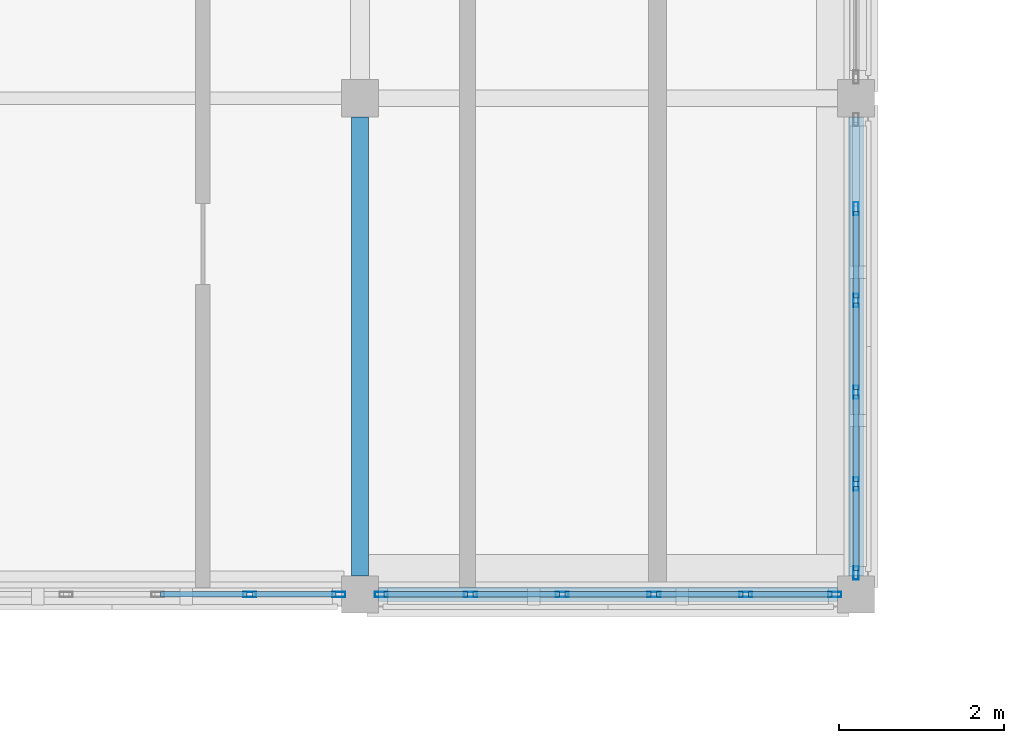
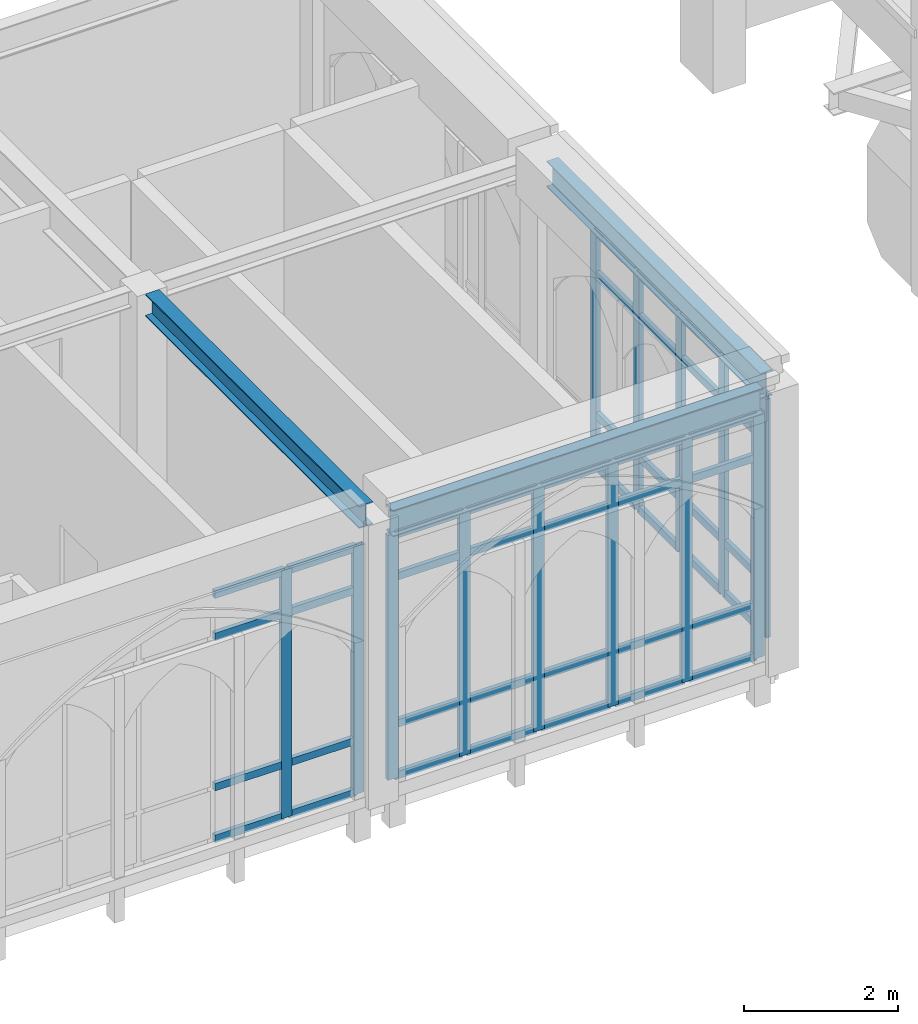
# One storey, part 21 of 59: 57 members, 3 beams, 3 elements without a shape of their own.
"""IFC4 building model written with IfcOpenShell, lengths in metres."""

from ifc_helpers import new_model, si_unit, direction, frame, origin, origin_2d, place, context, subcontext, project, spatial, hollow_rectangle, i_section, extrude, material, layer, layer_set, material_profile, profile_set, type_object, element, aggregate, save


model = new_model("IFC4")

# Units and contexts
model_context = context("Model", 3, precision=1e-05, world=origin(), true_north=direction((0.0, 1.0)))
body_context = subcontext(model_context, "Body", "Model", "MODEL_VIEW")
ifc_project = project(units=[si_unit("LENGTHUNIT", "METRE"), si_unit("AREAUNIT", "SQUARE_METRE"), si_unit("VOLUMEUNIT", "CUBIC_METRE"), si_unit("PLANEANGLEUNIT", "RADIAN"), si_unit("MASSUNIT", "GRAM", prefix="KILO")], contexts=[model_context])

# Site, building, storey
site_placement = place(None, origin())
site = spatial("IfcSite", under=ifc_project, at=site_placement, CompositionType="ELEMENT")
building_placement = place(site_placement, origin())
building = spatial("IfcBuilding", under=site, at=building_placement, Name="Cumevento Cable Car Station", CompositionType="ELEMENT")
storey_placement = place(building_placement, frame((0.0, 0.0, 18.0)))
storey = spatial("IfcBuildingStorey", under=building, at=storey_placement, Name="L05", CompositionType="ELEMENT", Elevation=18.0)

# Curtain wall, members
ifc_material_1 = material(Name="Anodised Bronze Aluminium AW-6063-T6", Category="aluminium")
ifc_layer_1 = layer(ifc_material_1, 0.159912109375)
ifc_layer_set_1 = layer_set([ifc_layer_1], Name="Anodised Bronze Aluminium AW-6063-T6")
curtain_wall_type_1 = type_object("IfcCurtainWallType", Name="Lancet Curtain Wall CW-01 1050", PredefinedType="NOTDEFINED", material=ifc_layer_set_1)
curtain_wall_1_placement = place(storey_placement, origin())
curtain_wall_1 = element("IfcCurtainWall", 1, at=curtain_wall_1_placement, inside=storey, type_object=curtain_wall_type_1, Name="Lancet Curtain Wall CW-01 L05 #192", PredefinedType="NOTDEFINED")
ifc_material_2 = material(Name="Anodised Bronze Aluminium AW-6063-T6", Category="aluminium")
ifc_material_profile_1 = material_profile(ifc_material_2, hollow_rectangle(XDim=0.06494140625, YDim=0.159912109375, WallThickness=0.00390625, at=origin_2d()), Name="ALUM65x160x4")
ifc_profile_set_1 = profile_set([ifc_material_profile_1], Name="Anodised Bronze Aluminium AW-6063-T6")
member_type_1 = type_object("IfcMemberType", Name="Curtain Mullion CWM-01 ALUM65x160x4", PredefinedType="MULLION", material=ifc_profile_set_1)
member_1_placement = place(storey_placement, frame((75.742431640625, 33.0, 0.159912109375), z_axis=(0.0, 0.0, 1.0), x_axis=(0.0, -1.0, 0.0)))
member_1 = element("IfcMember", 2, at=member_1_placement, type_object=member_type_1, Name="CW-01 mullion 1", PredefinedType="MULLION", context=body_context, shape_type="SweptSolid", body=[
    extrude(hollow_rectangle(XDim=0.06494140625, YDim=0.159912109375, WallThickness=0.00390625, at=origin_2d()), origin(), (0.0, 0.0, 1.0), 3.93310546875),
])
member_2_placement = place(storey_placement, frame((74.6650390625, 33.0, 0.159912109375), z_axis=(0.0, 0.0, 1.0), x_axis=(0.0, -1.0, 0.0)))
member_2 = element("IfcMember", 3, at=member_2_placement, type_object=member_type_1, Name="CW-01 mullion 2", PredefinedType="MULLION", context=body_context, shape_type="SweptSolid", body=[
    extrude(hollow_rectangle(XDim=0.06494140625, YDim=0.159912109375, WallThickness=0.00390625, at=origin_2d()), origin(), (0.0, 0.0, 1.0), 3.93310546875),
])

ifc_material_3 = material(Name="Anodised Bronze Aluminium AW-6063-T6", Category="aluminium")
ifc_layer_2 = layer(ifc_material_3, 0.166015625)
ifc_layer_set_2 = layer_set([ifc_layer_2], Name="Anodised Bronze Aluminium AW-6063-T6")
curtain_wall_type_2 = type_object("IfcCurtainWallType", Name="Lancet Curtain Wall CW-02 1090", PredefinedType="NOTDEFINED", material=ifc_layer_set_2)
curtain_wall_2_placement = place(storey_placement, origin())
curtain_wall_2 = element("IfcCurtainWall", 4, at=curtain_wall_2_placement, inside=storey, type_object=curtain_wall_type_2, Name="Lancet Curtain Wall CW-02 L05 #193", PredefinedType="NOTDEFINED")
member_3_placement = place(storey_placement, frame((81.742431640625, 33.0, 0.2099609375), z_axis=(0.0, 0.0, 1.0), x_axis=(0.0, -1.0, 0.0)))
member_3 = element("IfcMember", 5, at=member_3_placement, type_object=member_type_1, Name="CW-02 mullion 1", PredefinedType="MULLION", context=body_context, shape_type="SweptSolid", body=[
    extrude(hollow_rectangle(XDim=0.06494140625, YDim=0.159912109375, WallThickness=0.00390625, at=origin_2d()), origin(), (0.0, 0.0, 1.0), 3.883056640625),
])
member_4_placement = place(storey_placement, frame((80.6650390625, 33.0, 0.2099609375), z_axis=(0.0, 0.0, 1.0), x_axis=(0.0, -1.0, 0.0)))
member_4 = element("IfcMember", 6, at=member_4_placement, type_object=member_type_1, Name="CW-02 mullion 2", PredefinedType="MULLION", context=body_context, shape_type="SweptSolid", body=[
    extrude(hollow_rectangle(XDim=0.06494140625, YDim=0.159912109375, WallThickness=0.00390625, at=origin_2d()), origin(), (0.0, 0.0, 1.0), 3.883056640625),
])
member_5_placement = place(storey_placement, frame((79.554931640625, 33.0, 0.2099609375), z_axis=(0.0, 0.0, 1.0), x_axis=(0.0, -1.0, 0.0)))
member_5 = element("IfcMember", 7, at=member_5_placement, type_object=member_type_1, Name="CW-02 mullion 3", PredefinedType="MULLION", context=body_context, shape_type="SweptSolid", body=[
    extrude(hollow_rectangle(XDim=0.06494140625, YDim=0.159912109375, WallThickness=0.00390625, at=origin_2d()), origin(), (0.0, 0.0, 1.0), 3.883056640625),
])
member_6_placement = place(storey_placement, frame((78.445068359375, 33.0, 0.2099609375), z_axis=(0.0, 0.0, 1.0), x_axis=(0.0, -1.0, 0.0)))
member_6 = element("IfcMember", 8, at=member_6_placement, type_object=member_type_1, Name="CW-02 mullion 4", PredefinedType="MULLION", context=body_context, shape_type="SweptSolid", body=[
    extrude(hollow_rectangle(XDim=0.06494140625, YDim=0.159912109375, WallThickness=0.00390625, at=origin_2d()), origin(), (0.0, 0.0, 1.0), 3.883056640625),
])
member_7_placement = place(storey_placement, frame((77.3349609375, 33.0, 0.2099609375), z_axis=(0.0, 0.0, 1.0), x_axis=(0.0, -1.0, 0.0)))
member_7 = element("IfcMember", 9, at=member_7_placement, type_object=member_type_1, Name="CW-02 mullion 5", PredefinedType="MULLION", context=body_context, shape_type="SweptSolid", body=[
    extrude(hollow_rectangle(XDim=0.06494140625, YDim=0.159912109375, WallThickness=0.00390625, at=origin_2d()), origin(), (0.0, 0.0, 1.0), 3.883056640625),
])
member_8_placement = place(storey_placement, frame((76.257568359375, 33.0, 0.2099609375), z_axis=(0.0, 0.0, 1.0), x_axis=(0.0, -1.0, 0.0)))
member_8 = element("IfcMember", 10, at=member_8_placement, type_object=member_type_1, Name="CW-02 mullion 6", PredefinedType="MULLION", context=body_context, shape_type="SweptSolid", body=[
    extrude(hollow_rectangle(XDim=0.06494140625, YDim=0.159912109375, WallThickness=0.00390625, at=origin_2d()), origin(), (0.0, 0.0, 1.0), 3.883056640625),
])

ifc_material_4 = material(Name="Anodised Bronze Aluminium AW-6063-T6", Category="aluminium")
ifc_layer_3 = layer(ifc_material_4, 0.177978515625)
ifc_layer_set_3 = layer_set([ifc_layer_3], Name="Anodised Bronze Aluminium AW-6063-T6")
curtain_wall_type_3 = type_object("IfcCurtainWallType", Name="Lancet Curtain Wall CW-04 1170", PredefinedType="NOTDEFINED", material=ifc_layer_set_3)
curtain_wall_3_placement = place(storey_placement, origin())
curtain_wall_3 = element("IfcCurtainWall", 11, at=curtain_wall_3_placement, inside=storey, type_object=curtain_wall_type_3, Name="Lancet Curtain Wall CW-04 L05 #195", PredefinedType="NOTDEFINED")
member_9_placement = place(storey_placement, frame((82.0, 37.6650390625, 0.31005859375), z_axis=(0.0, 0.0, 1.0), x_axis=(1.0, 0.0, 0.0)))
member_9 = element("IfcMember", 12, at=member_9_placement, type_object=member_type_1, Name="CW-04 mullion 2", PredefinedType="MULLION", context=body_context, shape_type="SweptSolid", body=[
    extrude(hollow_rectangle(XDim=0.06494140625, YDim=0.159912109375, WallThickness=0.00390625, at=origin_2d()), origin(), (0.0, 0.0, 1.0), 3.782958984375),
])
member_10_placement = place(storey_placement, frame((82.0, 36.554931640625, 0.31005859375), z_axis=(0.0, 0.0, 1.0), x_axis=(1.0, 0.0, 0.0)))
member_10 = element("IfcMember", 13, at=member_10_placement, type_object=member_type_1, Name="CW-04 mullion 3", PredefinedType="MULLION", context=body_context, shape_type="SweptSolid", body=[
    extrude(hollow_rectangle(XDim=0.06494140625, YDim=0.159912109375, WallThickness=0.00390625, at=origin_2d()), origin(), (0.0, 0.0, 1.0), 3.782958984375),
])
member_11_placement = place(storey_placement, frame((82.0, 35.445068359375, 0.31005859375), z_axis=(0.0, 0.0, 1.0), x_axis=(1.0, 0.0, 0.0)))
member_11 = element("IfcMember", 14, at=member_11_placement, type_object=member_type_1, Name="CW-04 mullion 4", PredefinedType="MULLION", context=body_context, shape_type="SweptSolid", body=[
    extrude(hollow_rectangle(XDim=0.06494140625, YDim=0.159912109375, WallThickness=0.00390625, at=origin_2d()), origin(), (0.0, 0.0, 1.0), 3.782958984375),
])
member_12_placement = place(storey_placement, frame((82.0, 34.3349609375, 0.31005859375), z_axis=(0.0, 0.0, 1.0), x_axis=(1.0, 0.0, 0.0)))
member_12 = element("IfcMember", 15, at=member_12_placement, type_object=member_type_1, Name="CW-04 mullion 5", PredefinedType="MULLION", context=body_context, shape_type="SweptSolid", body=[
    extrude(hollow_rectangle(XDim=0.06494140625, YDim=0.159912109375, WallThickness=0.00390625, at=origin_2d()), origin(), (0.0, 0.0, 1.0), 3.782958984375),
])
member_13_placement = place(storey_placement, frame((82.0, 33.257568359375, 0.31005859375), z_axis=(0.0, 0.0, 1.0), x_axis=(1.0, 0.0, 0.0)))
member_13 = element("IfcMember", 16, at=member_13_placement, type_object=member_type_1, Name="CW-04 mullion 6", PredefinedType="MULLION", context=body_context, shape_type="SweptSolid", body=[
    extrude(hollow_rectangle(XDim=0.06494140625, YDim=0.159912109375, WallThickness=0.00390625, at=origin_2d()), origin(), (0.0, 0.0, 1.0), 3.782958984375),
])

# Member
ifc_material_5 = material(Name="Anodised Bronze Aluminium AW-6063-T6", Category="aluminium")
ifc_material_profile_2 = material_profile(ifc_material_5, hollow_rectangle(XDim=0.06494140625, YDim=0.1201171875, WallThickness=0.00390625, at=origin_2d()), Name="ALUT65x120x4")
ifc_profile_set_2 = profile_set([ifc_material_profile_2], Name="Anodised Bronze Aluminium AW-6063-T6")
member_type_2 = type_object("IfcMemberType", Name="Curtain Transom CWT-01 ALUT65x120x4", PredefinedType="USERDEFINED", material=ifc_profile_set_2)
member_14_placement = place(storey_placement, frame((75.7099609375, 33.0, 0.1923828125), z_axis=(-1.0, 0.0, 0.0), x_axis=(0.0, -1.0, 0.0)))
member_14 = element("IfcMember", 17, at=member_14_placement, type_object=member_type_2, Name="CW-01 transom 1.1", ObjectType="TRANSOM", PredefinedType="USERDEFINED", context=body_context, shape_type="SweptSolid", body=[
    extrude(hollow_rectangle(XDim=0.06494140625, YDim=0.1201171875, WallThickness=0.00390625, at=origin_2d()), origin(), (0.0, 0.0, 1.0), 1.012451171875),
])

member_15_placement = place(storey_placement, frame((75.7099609375, 33.0, 1.010009765625), z_axis=(-1.0, 0.0, 0.0), x_axis=(0.0, -1.0, 0.0)))
member_15 = element("IfcMember", 18, at=member_15_placement, type_object=member_type_2, Name="CW-01 transom 1.2", ObjectType="TRANSOM", PredefinedType="USERDEFINED", context=body_context, shape_type="SweptSolid", body=[
    extrude(hollow_rectangle(XDim=0.06494140625, YDim=0.1201171875, WallThickness=0.00390625, at=origin_2d()), origin(), (0.0, 0.0, 1.0), 1.012451171875),
])

member_16_placement = place(storey_placement, frame((75.7099609375, 33.0, 3.39306640625), z_axis=(-1.0, 0.0, 0.0), x_axis=(0.0, -1.0, 0.0)))
member_16 = element("IfcMember", 19, at=member_16_placement, type_object=member_type_2, Name="CW-01 transom 1.3", ObjectType="TRANSOM", PredefinedType="USERDEFINED", context=body_context, shape_type="SweptSolid", body=[
    extrude(hollow_rectangle(XDim=0.06494140625, YDim=0.1201171875, WallThickness=0.00390625, at=origin_2d()), origin(), (0.0, 0.0, 1.0), 1.012451171875),
])

member_17_placement = place(storey_placement, frame((75.7099609375, 33.0, 4.060546875), z_axis=(-1.0, 0.0, 0.0), x_axis=(0.0, -1.0, 0.0)))
member_17 = element("IfcMember", 20, at=member_17_placement, type_object=member_type_2, Name="CW-01 transom 1.4", ObjectType="TRANSOM", PredefinedType="USERDEFINED", context=body_context, shape_type="SweptSolid", body=[
    extrude(hollow_rectangle(XDim=0.06494140625, YDim=0.1201171875, WallThickness=0.00390625, at=origin_2d()), origin(), (0.0, 0.0, 1.0), 1.012451171875),
])

member_18_placement = place(storey_placement, frame((74.632568359375, 33.0, 0.1923828125), z_axis=(-1.0, 0.0, 0.0), x_axis=(0.0, -1.0, 0.0)))
member_18 = element("IfcMember", 21, at=member_18_placement, type_object=member_type_2, Name="CW-01 transom 2.1", ObjectType="TRANSOM", PredefinedType="USERDEFINED", context=body_context, shape_type="SweptSolid", body=[
    extrude(hollow_rectangle(XDim=0.06494140625, YDim=0.1201171875, WallThickness=0.00390625, at=origin_2d()), origin(), (0.0, 0.0, 1.0), 1.045166015625),
])

member_19_placement = place(storey_placement, frame((74.632568359375, 33.0, 1.010009765625), z_axis=(-1.0, 0.0, 0.0), x_axis=(0.0, -1.0, 0.0)))
member_19 = element("IfcMember", 22, at=member_19_placement, type_object=member_type_2, Name="CW-01 transom 2.2", ObjectType="TRANSOM", PredefinedType="USERDEFINED", context=body_context, shape_type="SweptSolid", body=[
    extrude(hollow_rectangle(XDim=0.06494140625, YDim=0.1201171875, WallThickness=0.00390625, at=origin_2d()), origin(), (0.0, 0.0, 1.0), 1.045166015625),
])

member_20_placement = place(storey_placement, frame((74.632568359375, 33.0, 3.39306640625), z_axis=(-1.0, 0.0, 0.0), x_axis=(0.0, -1.0, 0.0)))
member_20 = element("IfcMember", 23, at=member_20_placement, type_object=member_type_2, Name="CW-01 transom 2.3", ObjectType="TRANSOM", PredefinedType="USERDEFINED", context=body_context, shape_type="SweptSolid", body=[
    extrude(hollow_rectangle(XDim=0.06494140625, YDim=0.1201171875, WallThickness=0.00390625, at=origin_2d()), origin(), (0.0, 0.0, 1.0), 1.045166015625),
])

member_21_placement = place(storey_placement, frame((74.632568359375, 33.0, 4.060546875), z_axis=(-1.0, 0.0, 0.0), x_axis=(0.0, -1.0, 0.0)))
member_21 = element("IfcMember", 24, at=member_21_placement, type_object=member_type_2, Name="CW-01 transom 2.4", ObjectType="TRANSOM", PredefinedType="USERDEFINED", context=body_context, shape_type="SweptSolid", body=[
    extrude(hollow_rectangle(XDim=0.06494140625, YDim=0.1201171875, WallThickness=0.00390625, at=origin_2d()), origin(), (0.0, 0.0, 1.0), 1.045166015625),
])

aggregate(curtain_wall_1, [member_1, member_2, member_14, member_15, member_16, member_17, member_18, member_19, member_20, member_21])

member_22_placement = place(storey_placement, frame((81.7099609375, 33.0, 0.242431640625), z_axis=(-1.0, 0.0, 0.0), x_axis=(0.0, -1.0, 0.0)))
member_22 = element("IfcMember", 25, at=member_22_placement, type_object=member_type_2, Name="CW-02 transom 1.1", ObjectType="TRANSOM", PredefinedType="USERDEFINED", context=body_context, shape_type="SweptSolid", body=[
    extrude(hollow_rectangle(XDim=0.06494140625, YDim=0.1201171875, WallThickness=0.00390625, at=origin_2d()), origin(), (0.0, 0.0, 1.0), 1.012451171875),
])

member_23_placement = place(storey_placement, frame((81.7099609375, 33.0, 1.06005859375), z_axis=(-1.0, 0.0, 0.0), x_axis=(0.0, -1.0, 0.0)))
member_23 = element("IfcMember", 26, at=member_23_placement, type_object=member_type_2, Name="CW-02 transom 1.2", ObjectType="TRANSOM", PredefinedType="USERDEFINED", context=body_context, shape_type="SweptSolid", body=[
    extrude(hollow_rectangle(XDim=0.06494140625, YDim=0.1201171875, WallThickness=0.00390625, at=origin_2d()), origin(), (0.0, 0.0, 1.0), 1.012451171875),
])

member_24_placement = place(storey_placement, frame((81.7099609375, 33.0, 3.39306640625), z_axis=(-1.0, 0.0, 0.0), x_axis=(0.0, -1.0, 0.0)))
member_24 = element("IfcMember", 27, at=member_24_placement, type_object=member_type_2, Name="CW-02 transom 1.3", ObjectType="TRANSOM", PredefinedType="USERDEFINED", context=body_context, shape_type="SweptSolid", body=[
    extrude(hollow_rectangle(XDim=0.06494140625, YDim=0.1201171875, WallThickness=0.00390625, at=origin_2d()), origin(), (0.0, 0.0, 1.0), 1.012451171875),
])

member_25_placement = place(storey_placement, frame((81.7099609375, 33.0, 4.060546875), z_axis=(-1.0, 0.0, 0.0), x_axis=(0.0, -1.0, 0.0)))
member_25 = element("IfcMember", 28, at=member_25_placement, type_object=member_type_2, Name="CW-02 transom 1.4", ObjectType="TRANSOM", PredefinedType="USERDEFINED", context=body_context, shape_type="SweptSolid", body=[
    extrude(hollow_rectangle(XDim=0.06494140625, YDim=0.1201171875, WallThickness=0.00390625, at=origin_2d()), origin(), (0.0, 0.0, 1.0), 1.012451171875),
])

member_26_placement = place(storey_placement, frame((80.632568359375, 33.0, 0.242431640625), z_axis=(-1.0, 0.0, 0.0), x_axis=(0.0, -1.0, 0.0)))
member_26 = element("IfcMember", 29, at=member_26_placement, type_object=member_type_2, Name="CW-02 transom 2.1", ObjectType="TRANSOM", PredefinedType="USERDEFINED", context=body_context, shape_type="SweptSolid", body=[
    extrude(hollow_rectangle(XDim=0.06494140625, YDim=0.1201171875, WallThickness=0.00390625, at=origin_2d()), origin(), (0.0, 0.0, 1.0), 1.045166015625),
])

member_27_placement = place(storey_placement, frame((80.632568359375, 33.0, 1.06005859375), z_axis=(-1.0, 0.0, 0.0), x_axis=(0.0, -1.0, 0.0)))
member_27 = element("IfcMember", 30, at=member_27_placement, type_object=member_type_2, Name="CW-02 transom 2.2", ObjectType="TRANSOM", PredefinedType="USERDEFINED", context=body_context, shape_type="SweptSolid", body=[
    extrude(hollow_rectangle(XDim=0.06494140625, YDim=0.1201171875, WallThickness=0.00390625, at=origin_2d()), origin(), (0.0, 0.0, 1.0), 1.045166015625),
])

member_28_placement = place(storey_placement, frame((80.632568359375, 33.0, 3.39306640625), z_axis=(-1.0, 0.0, 0.0), x_axis=(0.0, -1.0, 0.0)))
member_28 = element("IfcMember", 31, at=member_28_placement, type_object=member_type_2, Name="CW-02 transom 2.3", ObjectType="TRANSOM", PredefinedType="USERDEFINED", context=body_context, shape_type="SweptSolid", body=[
    extrude(hollow_rectangle(XDim=0.06494140625, YDim=0.1201171875, WallThickness=0.00390625, at=origin_2d()), origin(), (0.0, 0.0, 1.0), 1.045166015625),
])

member_29_placement = place(storey_placement, frame((80.632568359375, 33.0, 4.060546875), z_axis=(-1.0, 0.0, 0.0), x_axis=(0.0, -1.0, 0.0)))
member_29 = element("IfcMember", 32, at=member_29_placement, type_object=member_type_2, Name="CW-02 transom 2.4", ObjectType="TRANSOM", PredefinedType="USERDEFINED", context=body_context, shape_type="SweptSolid", body=[
    extrude(hollow_rectangle(XDim=0.06494140625, YDim=0.1201171875, WallThickness=0.00390625, at=origin_2d()), origin(), (0.0, 0.0, 1.0), 1.045166015625),
])

member_30_placement = place(storey_placement, frame((79.5224609375, 33.0, 0.242431640625), z_axis=(-1.0, 0.0, 0.0), x_axis=(0.0, -1.0, 0.0)))
member_30 = element("IfcMember", 33, at=member_30_placement, type_object=member_type_2, Name="CW-02 transom 3.1", ObjectType="TRANSOM", PredefinedType="USERDEFINED", context=body_context, shape_type="SweptSolid", body=[
    extrude(hollow_rectangle(XDim=0.06494140625, YDim=0.1201171875, WallThickness=0.00390625, at=origin_2d()), origin(), (0.0, 0.0, 1.0), 1.044921875),
])

member_31_placement = place(storey_placement, frame((79.5224609375, 33.0, 1.06005859375), z_axis=(-1.0, 0.0, 0.0), x_axis=(0.0, -1.0, 0.0)))
member_31 = element("IfcMember", 34, at=member_31_placement, type_object=member_type_2, Name="CW-02 transom 3.2", ObjectType="TRANSOM", PredefinedType="USERDEFINED", context=body_context, shape_type="SweptSolid", body=[
    extrude(hollow_rectangle(XDim=0.06494140625, YDim=0.1201171875, WallThickness=0.00390625, at=origin_2d()), origin(), (0.0, 0.0, 1.0), 1.044921875),
])

member_32_placement = place(storey_placement, frame((79.5224609375, 33.0, 3.39306640625), z_axis=(-1.0, 0.0, 0.0), x_axis=(0.0, -1.0, 0.0)))
member_32 = element("IfcMember", 35, at=member_32_placement, type_object=member_type_2, Name="CW-02 transom 3.3", ObjectType="TRANSOM", PredefinedType="USERDEFINED", context=body_context, shape_type="SweptSolid", body=[
    extrude(hollow_rectangle(XDim=0.06494140625, YDim=0.1201171875, WallThickness=0.00390625, at=origin_2d()), origin(), (0.0, 0.0, 1.0), 1.044921875),
])

member_33_placement = place(storey_placement, frame((79.5224609375, 33.0, 4.060546875), z_axis=(-1.0, 0.0, 0.0), x_axis=(0.0, -1.0, 0.0)))
member_33 = element("IfcMember", 36, at=member_33_placement, type_object=member_type_2, Name="CW-02 transom 3.4", ObjectType="TRANSOM", PredefinedType="USERDEFINED", context=body_context, shape_type="SweptSolid", body=[
    extrude(hollow_rectangle(XDim=0.06494140625, YDim=0.1201171875, WallThickness=0.00390625, at=origin_2d()), origin(), (0.0, 0.0, 1.0), 1.044921875),
])

member_34_placement = place(storey_placement, frame((78.41259765625, 33.0, 0.242431640625), z_axis=(-1.0, 0.0, 0.0), x_axis=(0.0, -1.0, 0.0)))
member_34 = element("IfcMember", 37, at=member_34_placement, type_object=member_type_2, Name="CW-02 transom 4.1", ObjectType="TRANSOM", PredefinedType="USERDEFINED", context=body_context, shape_type="SweptSolid", body=[
    extrude(hollow_rectangle(XDim=0.06494140625, YDim=0.1201171875, WallThickness=0.00390625, at=origin_2d()), origin(), (0.0, 0.0, 1.0), 1.045166015625),
])

member_35_placement = place(storey_placement, frame((78.41259765625, 33.0, 1.06005859375), z_axis=(-1.0, 0.0, 0.0), x_axis=(0.0, -1.0, 0.0)))
member_35 = element("IfcMember", 38, at=member_35_placement, type_object=member_type_2, Name="CW-02 transom 4.2", ObjectType="TRANSOM", PredefinedType="USERDEFINED", context=body_context, shape_type="SweptSolid", body=[
    extrude(hollow_rectangle(XDim=0.06494140625, YDim=0.1201171875, WallThickness=0.00390625, at=origin_2d()), origin(), (0.0, 0.0, 1.0), 1.045166015625),
])

member_36_placement = place(storey_placement, frame((78.41259765625, 33.0, 3.39306640625), z_axis=(-1.0, 0.0, 0.0), x_axis=(0.0, -1.0, 0.0)))
member_36 = element("IfcMember", 39, at=member_36_placement, type_object=member_type_2, Name="CW-02 transom 4.3", ObjectType="TRANSOM", PredefinedType="USERDEFINED", context=body_context, shape_type="SweptSolid", body=[
    extrude(hollow_rectangle(XDim=0.06494140625, YDim=0.1201171875, WallThickness=0.00390625, at=origin_2d()), origin(), (0.0, 0.0, 1.0), 1.045166015625),
])

member_37_placement = place(storey_placement, frame((78.41259765625, 33.0, 4.060546875), z_axis=(-1.0, 0.0, 0.0), x_axis=(0.0, -1.0, 0.0)))
member_37 = element("IfcMember", 40, at=member_37_placement, type_object=member_type_2, Name="CW-02 transom 4.4", ObjectType="TRANSOM", PredefinedType="USERDEFINED", context=body_context, shape_type="SweptSolid", body=[
    extrude(hollow_rectangle(XDim=0.06494140625, YDim=0.1201171875, WallThickness=0.00390625, at=origin_2d()), origin(), (0.0, 0.0, 1.0), 1.045166015625),
])

member_38_placement = place(storey_placement, frame((77.302490234375, 33.0, 0.242431640625), z_axis=(-1.0, 0.0, 0.0), x_axis=(0.0, -1.0, 0.0)))
member_38 = element("IfcMember", 41, at=member_38_placement, type_object=member_type_2, Name="CW-02 transom 5.1", ObjectType="TRANSOM", PredefinedType="USERDEFINED", context=body_context, shape_type="SweptSolid", body=[
    extrude(hollow_rectangle(XDim=0.06494140625, YDim=0.1201171875, WallThickness=0.00390625, at=origin_2d()), origin(), (0.0, 0.0, 1.0), 1.012451171875),
])

member_39_placement = place(storey_placement, frame((77.302490234375, 33.0, 1.06005859375), z_axis=(-1.0, 0.0, 0.0), x_axis=(0.0, -1.0, 0.0)))
member_39 = element("IfcMember", 42, at=member_39_placement, type_object=member_type_2, Name="CW-02 transom 5.2", ObjectType="TRANSOM", PredefinedType="USERDEFINED", context=body_context, shape_type="SweptSolid", body=[
    extrude(hollow_rectangle(XDim=0.06494140625, YDim=0.1201171875, WallThickness=0.00390625, at=origin_2d()), origin(), (0.0, 0.0, 1.0), 1.012451171875),
])

member_40_placement = place(storey_placement, frame((77.302490234375, 33.0, 3.39306640625), z_axis=(-1.0, 0.0, 0.0), x_axis=(0.0, -1.0, 0.0)))
member_40 = element("IfcMember", 43, at=member_40_placement, type_object=member_type_2, Name="CW-02 transom 5.3", ObjectType="TRANSOM", PredefinedType="USERDEFINED", context=body_context, shape_type="SweptSolid", body=[
    extrude(hollow_rectangle(XDim=0.06494140625, YDim=0.1201171875, WallThickness=0.00390625, at=origin_2d()), origin(), (0.0, 0.0, 1.0), 1.012451171875),
])

member_41_placement = place(storey_placement, frame((77.302490234375, 33.0, 4.060546875), z_axis=(-1.0, 0.0, 0.0), x_axis=(0.0, -1.0, 0.0)))
member_41 = element("IfcMember", 44, at=member_41_placement, type_object=member_type_2, Name="CW-02 transom 5.4", ObjectType="TRANSOM", PredefinedType="USERDEFINED", context=body_context, shape_type="SweptSolid", body=[
    extrude(hollow_rectangle(XDim=0.06494140625, YDim=0.1201171875, WallThickness=0.00390625, at=origin_2d()), origin(), (0.0, 0.0, 1.0), 1.012451171875),
])

aggregate(curtain_wall_2, [member_3, member_4, member_5, member_6, member_7, member_8, member_22, member_23, member_24, member_25, member_26, member_27, member_28, member_29, member_30, member_31, member_32, member_33, member_34, member_35, member_36, member_37, member_38, member_39, member_40, member_41])

member_42_placement = place(storey_placement, frame((82.0, 37.632568359375, 0.342529296875), z_axis=(0.0, -1.0, 0.0), x_axis=(1.0, 0.0, 0.0)))
member_42 = element("IfcMember", 45, at=member_42_placement, type_object=member_type_2, Name="CW-04 transom 2.1", ObjectType="TRANSOM", PredefinedType="USERDEFINED", context=body_context, shape_type="SweptSolid", body=[
    extrude(hollow_rectangle(XDim=0.06494140625, YDim=0.1201171875, WallThickness=0.00390625, at=origin_2d()), origin(), (0.0, 0.0, 1.0), 1.045166015625),
])

member_43_placement = place(storey_placement, frame((82.0, 37.632568359375, 1.159912109375), z_axis=(0.0, -1.0, 0.0), x_axis=(1.0, 0.0, 0.0)))
member_43 = element("IfcMember", 46, at=member_43_placement, type_object=member_type_2, Name="CW-04 transom 2.2", ObjectType="TRANSOM", PredefinedType="USERDEFINED", context=body_context, shape_type="SweptSolid", body=[
    extrude(hollow_rectangle(XDim=0.06494140625, YDim=0.1201171875, WallThickness=0.00390625, at=origin_2d()), origin(), (0.0, 0.0, 1.0), 1.045166015625),
])

member_44_placement = place(storey_placement, frame((82.0, 37.632568359375, 3.39306640625), z_axis=(0.0, -1.0, 0.0), x_axis=(1.0, 0.0, 0.0)))
member_44 = element("IfcMember", 47, at=member_44_placement, type_object=member_type_2, Name="CW-04 transom 2.3", ObjectType="TRANSOM", PredefinedType="USERDEFINED", context=body_context, shape_type="SweptSolid", body=[
    extrude(hollow_rectangle(XDim=0.06494140625, YDim=0.1201171875, WallThickness=0.00390625, at=origin_2d()), origin(), (0.0, 0.0, 1.0), 1.045166015625),
])

member_45_placement = place(storey_placement, frame((82.0, 37.632568359375, 4.060546875), z_axis=(0.0, -1.0, 0.0), x_axis=(1.0, 0.0, 0.0)))
member_45 = element("IfcMember", 48, at=member_45_placement, type_object=member_type_2, Name="CW-04 transom 2.4", ObjectType="TRANSOM", PredefinedType="USERDEFINED", context=body_context, shape_type="SweptSolid", body=[
    extrude(hollow_rectangle(XDim=0.06494140625, YDim=0.1201171875, WallThickness=0.00390625, at=origin_2d()), origin(), (0.0, 0.0, 1.0), 1.045166015625),
])

member_46_placement = place(storey_placement, frame((82.0, 36.5224609375, 0.342529296875), z_axis=(0.0, -1.0, 0.0), x_axis=(1.0, 0.0, 0.0)))
member_46 = element("IfcMember", 49, at=member_46_placement, type_object=member_type_2, Name="CW-04 transom 3.1", ObjectType="TRANSOM", PredefinedType="USERDEFINED", context=body_context, shape_type="SweptSolid", body=[
    extrude(hollow_rectangle(XDim=0.06494140625, YDim=0.1201171875, WallThickness=0.00390625, at=origin_2d()), origin(), (0.0, 0.0, 1.0), 1.044921875),
])

member_47_placement = place(storey_placement, frame((82.0, 36.5224609375, 1.159912109375), z_axis=(0.0, -1.0, 0.0), x_axis=(1.0, 0.0, 0.0)))
member_47 = element("IfcMember", 50, at=member_47_placement, type_object=member_type_2, Name="CW-04 transom 3.2", ObjectType="TRANSOM", PredefinedType="USERDEFINED", context=body_context, shape_type="SweptSolid", body=[
    extrude(hollow_rectangle(XDim=0.06494140625, YDim=0.1201171875, WallThickness=0.00390625, at=origin_2d()), origin(), (0.0, 0.0, 1.0), 1.044921875),
])

member_48_placement = place(storey_placement, frame((82.0, 36.5224609375, 3.39306640625), z_axis=(0.0, -1.0, 0.0), x_axis=(1.0, 0.0, 0.0)))
member_48 = element("IfcMember", 51, at=member_48_placement, type_object=member_type_2, Name="CW-04 transom 3.3", ObjectType="TRANSOM", PredefinedType="USERDEFINED", context=body_context, shape_type="SweptSolid", body=[
    extrude(hollow_rectangle(XDim=0.06494140625, YDim=0.1201171875, WallThickness=0.00390625, at=origin_2d()), origin(), (0.0, 0.0, 1.0), 1.044921875),
])

member_49_placement = place(storey_placement, frame((82.0, 36.5224609375, 4.060546875), z_axis=(0.0, -1.0, 0.0), x_axis=(1.0, 0.0, 0.0)))
member_49 = element("IfcMember", 52, at=member_49_placement, type_object=member_type_2, Name="CW-04 transom 3.4", ObjectType="TRANSOM", PredefinedType="USERDEFINED", context=body_context, shape_type="SweptSolid", body=[
    extrude(hollow_rectangle(XDim=0.06494140625, YDim=0.1201171875, WallThickness=0.00390625, at=origin_2d()), origin(), (0.0, 0.0, 1.0), 1.044921875),
])

member_50_placement = place(storey_placement, frame((82.0, 35.41259765625, 0.342529296875), z_axis=(0.0, -1.0, 0.0), x_axis=(1.0, 0.0, 0.0)))
member_50 = element("IfcMember", 53, at=member_50_placement, type_object=member_type_2, Name="CW-04 transom 4.1", ObjectType="TRANSOM", PredefinedType="USERDEFINED", context=body_context, shape_type="SweptSolid", body=[
    extrude(hollow_rectangle(XDim=0.06494140625, YDim=0.1201171875, WallThickness=0.00390625, at=origin_2d()), origin(), (0.0, 0.0, 1.0), 1.045166015625),
])

member_51_placement = place(storey_placement, frame((82.0, 35.41259765625, 1.159912109375), z_axis=(0.0, -1.0, 0.0), x_axis=(1.0, 0.0, 0.0)))
member_51 = element("IfcMember", 54, at=member_51_placement, type_object=member_type_2, Name="CW-04 transom 4.2", ObjectType="TRANSOM", PredefinedType="USERDEFINED", context=body_context, shape_type="SweptSolid", body=[
    extrude(hollow_rectangle(XDim=0.06494140625, YDim=0.1201171875, WallThickness=0.00390625, at=origin_2d()), origin(), (0.0, 0.0, 1.0), 1.045166015625),
])

member_52_placement = place(storey_placement, frame((82.0, 35.41259765625, 3.39306640625), z_axis=(0.0, -1.0, 0.0), x_axis=(1.0, 0.0, 0.0)))
member_52 = element("IfcMember", 55, at=member_52_placement, type_object=member_type_2, Name="CW-04 transom 4.3", ObjectType="TRANSOM", PredefinedType="USERDEFINED", context=body_context, shape_type="SweptSolid", body=[
    extrude(hollow_rectangle(XDim=0.06494140625, YDim=0.1201171875, WallThickness=0.00390625, at=origin_2d()), origin(), (0.0, 0.0, 1.0), 1.045166015625),
])

member_53_placement = place(storey_placement, frame((82.0, 35.41259765625, 4.060546875), z_axis=(0.0, -1.0, 0.0), x_axis=(1.0, 0.0, 0.0)))
member_53 = element("IfcMember", 56, at=member_53_placement, type_object=member_type_2, Name="CW-04 transom 4.4", ObjectType="TRANSOM", PredefinedType="USERDEFINED", context=body_context, shape_type="SweptSolid", body=[
    extrude(hollow_rectangle(XDim=0.06494140625, YDim=0.1201171875, WallThickness=0.00390625, at=origin_2d()), origin(), (0.0, 0.0, 1.0), 1.045166015625),
])

member_54_placement = place(storey_placement, frame((82.0, 34.302490234375, 0.342529296875), z_axis=(0.0, -1.0, 0.0), x_axis=(1.0, 0.0, 0.0)))
member_54 = element("IfcMember", 57, at=member_54_placement, type_object=member_type_2, Name="CW-04 transom 5.1", ObjectType="TRANSOM", PredefinedType="USERDEFINED", context=body_context, shape_type="SweptSolid", body=[
    extrude(hollow_rectangle(XDim=0.06494140625, YDim=0.1201171875, WallThickness=0.00390625, at=origin_2d()), origin(), (0.0, 0.0, 1.0), 1.012451171875),
])

member_55_placement = place(storey_placement, frame((82.0, 34.302490234375, 1.159912109375), z_axis=(0.0, -1.0, 0.0), x_axis=(1.0, 0.0, 0.0)))
member_55 = element("IfcMember", 58, at=member_55_placement, type_object=member_type_2, Name="CW-04 transom 5.2", ObjectType="TRANSOM", PredefinedType="USERDEFINED", context=body_context, shape_type="SweptSolid", body=[
    extrude(hollow_rectangle(XDim=0.06494140625, YDim=0.1201171875, WallThickness=0.00390625, at=origin_2d()), origin(), (0.0, 0.0, 1.0), 1.012451171875),
])

member_56_placement = place(storey_placement, frame((82.0, 34.302490234375, 3.39306640625), z_axis=(0.0, -1.0, 0.0), x_axis=(1.0, 0.0, 0.0)))
member_56 = element("IfcMember", 59, at=member_56_placement, type_object=member_type_2, Name="CW-04 transom 5.3", ObjectType="TRANSOM", PredefinedType="USERDEFINED", context=body_context, shape_type="SweptSolid", body=[
    extrude(hollow_rectangle(XDim=0.06494140625, YDim=0.1201171875, WallThickness=0.00390625, at=origin_2d()), origin(), (0.0, 0.0, 1.0), 1.012451171875),
])

member_57_placement = place(storey_placement, frame((82.0, 34.302490234375, 4.060546875), z_axis=(0.0, -1.0, 0.0), x_axis=(1.0, 0.0, 0.0)))
member_57 = element("IfcMember", 60, at=member_57_placement, type_object=member_type_2, Name="CW-04 transom 5.4", ObjectType="TRANSOM", PredefinedType="USERDEFINED", context=body_context, shape_type="SweptSolid", body=[
    extrude(hollow_rectangle(XDim=0.06494140625, YDim=0.1201171875, WallThickness=0.00390625, at=origin_2d()), origin(), (0.0, 0.0, 1.0), 1.012451171875),
])

aggregate(curtain_wall_3, [member_9, member_10, member_11, member_12, member_13, member_42, member_43, member_44, member_45, member_46, member_47, member_48, member_49, member_50, member_51, member_52, member_53, member_54, member_55, member_56, member_57])

# Beams
ifc_material_6 = material(Name="Steel ASTM A572 Grade 50", Category="steel")
ifc_material_profile_3 = material_profile(ifc_material_6, i_section(OverallWidth=0.205078125, OverallDepth=0.35400390625, WebThickness=0.009521484375, FlangeThickness=0.016845703125, at=origin_2d()), Name="W360x79.0")
ifc_profile_set_3 = profile_set([ifc_material_profile_3], Name="Steel ASTM A572 Grade 50")
beam_type_1 = type_object("IfcBeamType", Name="Structural Beam BM-05 W360x79.0", PredefinedType="BEAM", material=ifc_profile_set_3)
beam_placement = place(storey_placement, frame((76.0, 33.22509765625, 4.322998046875), z_axis=(0.0, 1.0, 0.0), x_axis=(-1.0, 0.0, 0.0)))
element("IfcBeam", 61, at=beam_placement, inside=storey, type_object=beam_type_1, Name="Beam BM-05 L05 #1569", PredefinedType="BEAM", context=body_context, shape_type="SweptSolid", body=[
    extrude(i_section(OverallWidth=0.205078125, OverallDepth=0.35400390625, WebThickness=0.009521484375, FlangeThickness=0.016845703125, at=origin_2d()), origin(), (0.0, 0.0, 1.0), 5.5498046875),
])
ifc_material_7 = material(Name="Steel ASTM A572 Grade 50", Category="steel")
ifc_material_profile_4 = material_profile(ifc_material_7, i_section(OverallWidth=0.177978515625, OverallDepth=0.406982421875, WebThickness=0.0078125, FlangeThickness=0.0126953125, at=origin_2d()), Name="W410x60.0")
ifc_profile_set_4 = profile_set([ifc_material_profile_4], Name="Steel ASTM A572 Grade 50")
beam_type_2 = type_object("IfcBeamType", Name="Structural Spandrel SP-01 W410x60.0", PredefinedType="SPANDREL", material=ifc_profile_set_4)
for number, where, z_axis, x_axis, name in (
    (62, (76.22509765625, 33.0, 4.29638671875), (1.0, 0.0, 0.0), (0.0, 1.0, 0.0), "Beam SP-01 L05 #1563"),
    (63, (82.0, 33.22509765625, 4.29638671875), (0.0, 1.0, 0.0), (-1.0, 0.0, 0.0), "Beam SP-01 L05 #1571"),
):
    element("IfcBeam", number, at=place(storey_placement, frame(where, z_axis=z_axis, x_axis=x_axis)), inside=storey, type_object=beam_type_2, Name=name, PredefinedType="SPANDREL", context=body_context, shape_type="SweptSolid", body=[
        extrude(i_section(OverallWidth=0.177978515625, OverallDepth=0.406982421875, WebThickness=0.0078125, FlangeThickness=0.0126953125, at=origin_2d()), origin(), (0.0, 0.0, 1.0), 5.5498046875),
    ])

save(model, "model.ifc")
